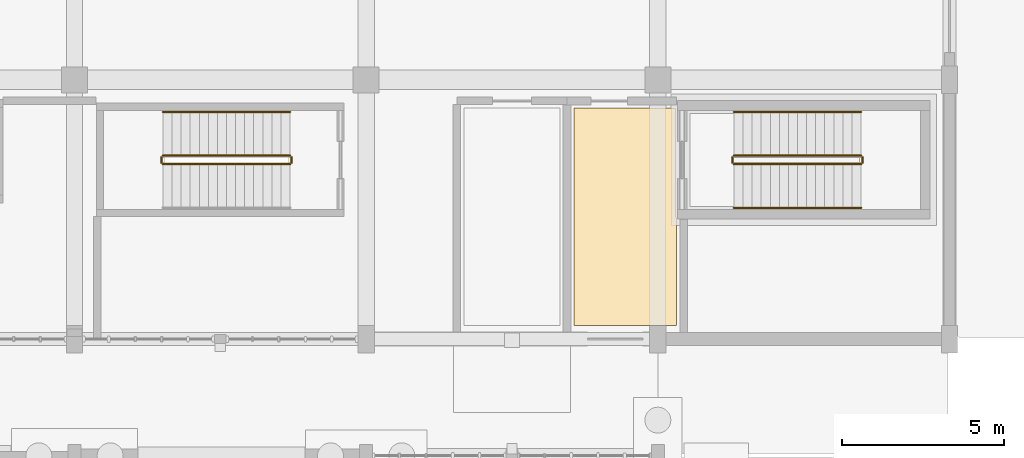
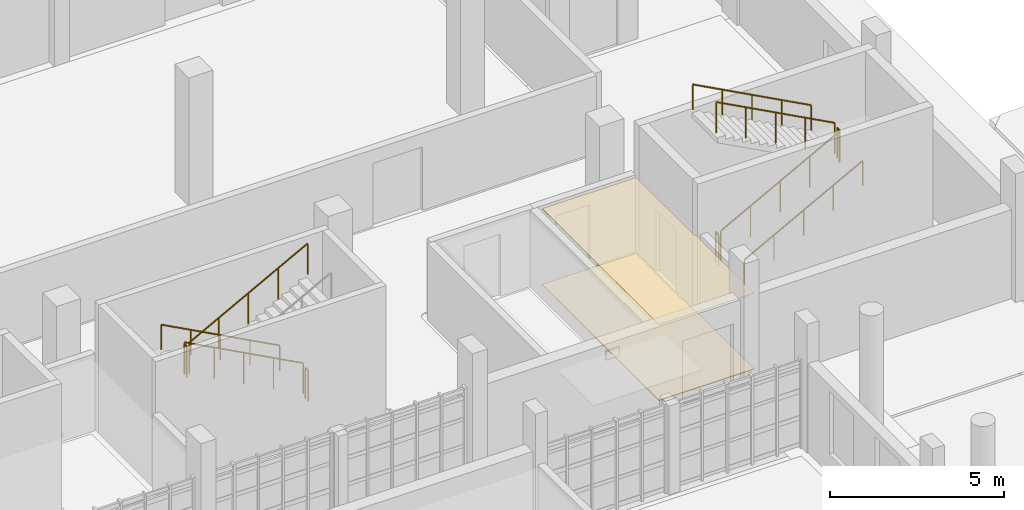
# One storey, part 60 of 63: 11 railings, 2 coverings.
"""IFC4 building model written with IfcOpenShell, lengths in metres."""

from ifc_helpers import new_model, si_unit, direction, frame, origin, origin_2d, place, context, subcontext, project, spatial, polyline, circle, outline, extrude, material, layer, layer_set, type_object, element, save


model = new_model("IFC4")

# Units and contexts
model_context = context("Model", 3, precision=1e-05, world=origin(), true_north=direction((0.0, 1.0)))
body_context = subcontext(model_context, "Body", "Model", "MODEL_VIEW")
ifc_project = project(units=[si_unit("LENGTHUNIT", "METRE"), si_unit("AREAUNIT", "SQUARE_METRE"), si_unit("VOLUMEUNIT", "CUBIC_METRE"), si_unit("PLANEANGLEUNIT", "RADIAN"), si_unit("MASSUNIT", "GRAM", prefix="KILO")], contexts=[model_context])

# Site, building, storey
site_placement = place(None, origin())
site = spatial("IfcSite", under=ifc_project, at=site_placement, CompositionType="ELEMENT")
building_placement = place(site_placement, origin())
building = spatial("IfcBuilding", under=site, at=building_placement, Name="Serraforn Aerial Cableway Station", CompositionType="ELEMENT")
storey_placement = place(building_placement, origin())
storey = spatial("IfcBuildingStorey", under=building, at=storey_placement, Name="L00", CompositionType="ELEMENT", Elevation=0.0)

# Coverings
ifc_material_1 = material(Name="Fire-protective gypsum board ceiling")
ifc_layer_1 = layer(ifc_material_1, 0.02001953125)
ifc_layer_set_1 = layer_set([ifc_layer_1], Name="Fire-protective gypsum board ceiling")
covering_type_1 = type_object("IfcCoveringType", Name="COV-CLG-GYP", PredefinedType="CEILING", material=ifc_layer_set_1)
covering_1_placement = place(storey_placement, frame((0.0, 0.0, 2.659912109375)))
element("IfcCovering", 1, at=covering_1_placement, inside=storey, type_object=covering_type_1, Name="Suspended Ceiling L00-25", PredefinedType="CEILING", context=body_context, shape_type="SweptSolid", body=[
    extrude(outline(polyline([(82.139892578125, 25.1298828125), (82.139892578125, 21.860107421875), (82.14111328125, 21.83837890625), (82.144287109375, 21.817138671875), (82.1494140625, 21.796142578125), (82.15673828125, 21.77587890625), (82.166015625, 21.75634765625), (82.177001953125, 21.73779296875), (82.179931640625, 21.73388671875), (82.179931640625, 18.419921875), (79.02001953125, 18.419921875), (79.02001953125, 25.1298828125), (82.139892578125, 25.1298828125)])), origin(), (0.0, 0.0, 1.0), 0.02001953125),
])
ifc_material_2 = material(Name="Honed Montjuic limestone flooring", Category="masonry")
ifc_layer_2 = layer(ifc_material_2, 0.030029296875)
ifc_layer_set_2 = layer_set([ifc_layer_2], Name="Honed Montjuic limestone flooring")
covering_type_2 = type_object("IfcCoveringType", Name="COV-FLR-STN", PredefinedType="FLOORING", material=ifc_layer_set_2)
covering_2_placement = place(storey_placement, origin())
element("IfcCovering", 2, at=covering_2_placement, inside=storey, type_object=covering_type_2, Name="Flooring L00-25", PredefinedType="FLOORING", context=body_context, shape_type="SweptSolid", body=[
    extrude(outline(polyline([(82.139892578125, 25.1298828125), (82.139892578125, 21.860107421875), (82.14111328125, 21.83837890625), (82.144287109375, 21.817138671875), (82.1494140625, 21.796142578125), (82.15673828125, 21.77587890625), (82.166015625, 21.75634765625), (82.177001953125, 21.73779296875), (82.179931640625, 21.73388671875), (82.179931640625, 18.419921875), (79.02001953125, 18.419921875), (79.02001953125, 25.1298828125), (82.139892578125, 25.1298828125)])), origin(), (0.0, 0.0, 1.0), 0.030029296875),
])

# Railings
ifc_material_3 = material(Name="Patinated bronze stair guardrail")
ifc_layer_3 = layer(ifc_material_3, 0.050048828125)
ifc_layer_set_3 = layer_set([ifc_layer_3], Name="Patinated bronze stair guardrail")
railing_type_1 = type_object("IfcRailingType", Name="RL-STR-GRD", PredefinedType="GUARDRAIL", material=ifc_layer_set_3)
railing_1_placement = place(storey_placement, frame((70.25, 23.659912109375, 0.14990234375)))
element("IfcRailing", 3, at=railing_1_placement, inside=storey, type_object=railing_type_1, Name="L00 ST-05 stair guard 1", PredefinedType="GUARDRAIL", context=body_context, shape_type="SweptSolid", body=[
    extrude(circle(Radius=0.02392578125, at=origin_2d()), frame((0.0, 0.0, 1.076171875), z_axis=(-0.881466911329, 0.0, 0.472245787945), x_axis=(0.0, -1.0, 0.0)), (0.0, 0.0, 1.0), 4.447021484375),
    extrude(circle(Radius=0.02099609375, at=origin_2d()), origin(), (0.0, 0.0, 1.0), 1.052001953125),
    extrude(circle(Radius=0.02099609375, at=origin_2d()), frame((-0.97998046875, 0.0, 0.52490234375)), (0.0, 0.0, 1.0), 1.052001953125),
    extrude(circle(Radius=0.02099609375, at=origin_2d()), frame((-1.9599609375, 0.0, 1.050048828125)), (0.0, 0.0, 1.0), 1.052001953125),
    extrude(circle(Radius=0.02099609375, at=origin_2d()), frame((-2.93994140625, 0.0, 1.5751953125)), (0.0, 0.0, 1.0), 1.052001953125),
    extrude(circle(Radius=0.02099609375, at=origin_2d()), frame((-3.919921875, 0.0, 2.10009765625)), (0.0, 0.0, 1.0), 1.052001953125),
])
railing_2_placement = place(storey_placement, frame((66.280029296875, 23.610107421875, 2.25)))
element("IfcRailing", 4, at=railing_2_placement, inside=storey, type_object=railing_type_1, Name="L00 ST-05 stair guard 2", PredefinedType="GUARDRAIL", context=body_context, shape_type="SweptSolid", body=[
    extrude(circle(Radius=0.02392578125, at=origin_2d()), frame((0.0, 0.0, 1.076171875), z_axis=(0.0, -1.0, 0.0), x_axis=(1.0, 0.0, 0.0)), (0.0, 0.0, 1.0), 0.16015625),
    extrude(circle(Radius=0.02099609375, at=origin_2d()), origin(), (0.0, 0.0, 1.0), 1.052001953125),
    extrude(circle(Radius=0.02099609375, at=origin_2d()), frame((0.0, -0.16015625, 0.0)), (0.0, 0.0, 1.0), 1.052001953125),
])
railing_3_placement = place(storey_placement, frame((66.330078125, 23.39990234375, 2.39990234375)))
element("IfcRailing", 5, at=railing_3_placement, inside=storey, type_object=railing_type_1, Name="L00 ST-05 stair guard 3", PredefinedType="GUARDRAIL", context=body_context, shape_type="SweptSolid", body=[
    extrude(circle(Radius=0.02392578125, at=origin_2d()), frame((0.0, 0.0, 1.076171875), z_axis=(0.881466911329, 0.0, 0.472245787945), x_axis=(0.0, 1.0, 0.0)), (0.0, 0.0, 1.0), 4.447021484375),
    extrude(circle(Radius=0.02099609375, at=origin_2d()), origin(), (0.0, 0.0, 1.0), 1.052001953125),
    extrude(circle(Radius=0.02099609375, at=origin_2d()), frame((0.97998046875, 0.0, 0.52490234375)), (0.0, 0.0, 1.0), 1.052001953125),
    extrude(circle(Radius=0.02099609375, at=origin_2d()), frame((1.9599609375, 0.0, 1.050048828125)), (0.0, 0.0, 1.0), 1.052001953125),
    extrude(circle(Radius=0.02099609375, at=origin_2d()), frame((2.93994140625, 0.0, 1.5751953125)), (0.0, 0.0, 1.0), 1.052001953125),
    extrude(circle(Radius=0.02099609375, at=origin_2d()), frame((3.919921875, 0.0, 2.10009765625)), (0.0, 0.0, 1.0), 1.052001953125),
])
railing_4_placement = place(storey_placement, frame((70.300048828125, 23.610107421875, 0.0)))
element("IfcRailing", 6, at=railing_4_placement, inside=storey, type_object=railing_type_1, Name="L00 ST-05 stair guard 4", PredefinedType="GUARDRAIL", context=body_context, shape_type="SweptSolid", body=[
    extrude(circle(Radius=0.02392578125, at=origin_2d()), frame((0.0, 0.0, 1.076171875), z_axis=(0.0, -1.0, 0.0), x_axis=(1.0, 0.0, 0.0)), (0.0, 0.0, 1.0), 0.16015625),
    extrude(circle(Radius=0.02099609375, at=origin_2d()), origin(), (0.0, 0.0, 1.0), 1.052001953125),
    extrude(circle(Radius=0.02099609375, at=origin_2d()), frame((0.0, -0.16015625, 0.0)), (0.0, 0.0, 1.0), 1.052001953125),
])
railing_5_placement = place(storey_placement, frame((83.949951171875, 23.39990234375, 0.14990234375)))
element("IfcRailing", 7, at=railing_5_placement, inside=storey, type_object=railing_type_1, Name="L00 ST-13 stair guard 1", PredefinedType="GUARDRAIL", context=body_context, shape_type="SweptSolid", body=[
    extrude(circle(Radius=0.02392578125, at=origin_2d()), frame((0.0, 0.0, 1.076171875), z_axis=(0.881479153919, 0.0, 0.472222935917), x_axis=(0.0, 1.0, 0.0)), (0.0, 0.0, 1.0), 4.447265625),
    extrude(circle(Radius=0.02099609375, at=origin_2d()), origin(), (0.0, 0.0, 1.0), 1.052001953125),
    extrude(circle(Radius=0.02099609375, at=origin_2d()), frame((0.97998046875, 0.0, 0.52490234375)), (0.0, 0.0, 1.0), 1.052001953125),
    extrude(circle(Radius=0.02099609375, at=origin_2d()), frame((1.9599609375, 0.0, 1.050048828125)), (0.0, 0.0, 1.0), 1.052001953125),
    extrude(circle(Radius=0.02099609375, at=origin_2d()), frame((2.940185546875, 0.0, 1.5751953125)), (0.0, 0.0, 1.0), 1.052001953125),
    extrude(circle(Radius=0.02099609375, at=origin_2d()), frame((3.920166015625, 0.0, 2.10009765625)), (0.0, 0.0, 1.0), 1.052001953125),
])
railing_6_placement = place(storey_placement, frame((87.919921875, 23.449951171875, 2.25)))
element("IfcRailing", 8, at=railing_6_placement, inside=storey, type_object=railing_type_1, Name="L00 ST-13 stair guard 2", PredefinedType="GUARDRAIL", context=body_context, shape_type="SweptSolid", body=[
    extrude(circle(Radius=0.02392578125, at=origin_2d()), frame((0.0, 0.0, 1.076171875), z_axis=(0.0, 1.0, 0.0), x_axis=(-1.0, 0.0, 0.0)), (0.0, 0.0, 1.0), 0.16015625),
    extrude(circle(Radius=0.02099609375, at=origin_2d()), origin(), (0.0, 0.0, 1.0), 1.052001953125),
    extrude(circle(Radius=0.02099609375, at=origin_2d()), frame((0.0, 0.16015625, 0.0)), (0.0, 0.0, 1.0), 1.052001953125),
])
railing_7_placement = place(storey_placement, frame((87.8701171875, 23.659912109375, 2.39990234375)))
element("IfcRailing", 9, at=railing_7_placement, inside=storey, type_object=railing_type_1, Name="L00 ST-13 stair guard 3", PredefinedType="GUARDRAIL", context=body_context, shape_type="SweptSolid", body=[
    extrude(circle(Radius=0.02392578125, at=origin_2d()), frame((0.0, 0.0, 1.076171875), z_axis=(-0.881479153919, 0.0, 0.472222935917), x_axis=(0.0, -1.0, 0.0)), (0.0, 0.0, 1.0), 4.447265625),
    extrude(circle(Radius=0.02099609375, at=origin_2d()), origin(), (0.0, 0.0, 1.0), 1.052001953125),
    extrude(circle(Radius=0.02099609375, at=origin_2d()), frame((-0.97998046875, 0.0, 0.52490234375)), (0.0, 0.0, 1.0), 1.052001953125),
    extrude(circle(Radius=0.02099609375, at=origin_2d()), frame((-1.9599609375, 0.0, 1.050048828125)), (0.0, 0.0, 1.0), 1.052001953125),
    extrude(circle(Radius=0.02099609375, at=origin_2d()), frame((-2.940185546875, 0.0, 1.5751953125)), (0.0, 0.0, 1.0), 1.052001953125),
    extrude(circle(Radius=0.02099609375, at=origin_2d()), frame((-3.920166015625, 0.0, 2.10009765625)), (0.0, 0.0, 1.0), 1.052001953125),
])
railing_8_placement = place(storey_placement, frame((83.89990234375, 23.449951171875, 0.0)))
element("IfcRailing", 10, at=railing_8_placement, inside=storey, type_object=railing_type_1, Name="L00 ST-13 stair guard 4", PredefinedType="GUARDRAIL", context=body_context, shape_type="SweptSolid", body=[
    extrude(circle(Radius=0.02392578125, at=origin_2d()), frame((0.0, 0.0, 1.076171875), z_axis=(0.0, 1.0, 0.0), x_axis=(-1.0, 0.0, 0.0)), (0.0, 0.0, 1.0), 0.16015625),
    extrude(circle(Radius=0.02099609375, at=origin_2d()), origin(), (0.0, 0.0, 1.0), 1.052001953125),
    extrude(circle(Radius=0.02099609375, at=origin_2d()), frame((0.0, 0.16015625, 0.0)), (0.0, 0.0, 1.0), 1.052001953125),
])
ifc_material_4 = material(Name="Brushed bronze tubular handrail")
ifc_layer_4 = layer(ifc_material_4, 0.048095703125)
ifc_layer_set_4 = layer_set([ifc_layer_4], Name="Brushed bronze tubular handrail")
railing_type_2 = type_object("IfcRailingType", Name="RL-STR-HDR", PredefinedType="HANDRAIL", material=ifc_layer_set_4)
railing_9_placement = place(storey_placement, frame((70.25, 25.010009765625, 0.14990234375)))
element("IfcRailing", 11, at=railing_9_placement, inside=storey, type_object=railing_type_2, Name="L00 ST-05 stair handrail 1", PredefinedType="HANDRAIL", context=body_context, shape_type="SweptSolid", body=[
    extrude(circle(Radius=0.02392578125, at=origin_2d()), frame((0.0, 0.0, 0.8759765625), z_axis=(-0.881466911329, 0.0, 0.472245787945), x_axis=(0.0, -1.0, 0.0)), (0.0, 0.0, 1.0), 4.447021484375),
    extrude(circle(Radius=0.02099609375, at=origin_2d()), origin(), (0.0, 0.0, 1.0), 0.851806640625),
    extrude(circle(Radius=0.02099609375, at=origin_2d()), frame((-0.97998046875, 0.0, 0.52490234375)), (0.0, 0.0, 1.0), 0.851806640625),
    extrude(circle(Radius=0.02099609375, at=origin_2d()), frame((-1.9599609375, 0.0, 1.050048828125)), (0.0, 0.0, 1.0), 0.851806640625),
    extrude(circle(Radius=0.02099609375, at=origin_2d()), frame((-2.93994140625, 0.0, 1.5751953125)), (0.0, 0.0, 1.0), 0.851806640625),
    extrude(circle(Radius=0.02099609375, at=origin_2d()), frame((-3.919921875, 0.0, 2.10009765625)), (0.0, 0.0, 1.0), 0.851806640625),
])
railing_10_placement = place(storey_placement, frame((83.949951171875, 22.050048828125, 0.14990234375)))
element("IfcRailing", 12, at=railing_10_placement, inside=storey, type_object=railing_type_2, Name="L00 ST-13 stair handrail 1", PredefinedType="HANDRAIL", context=body_context, shape_type="SweptSolid", body=[
    extrude(circle(Radius=0.02392578125, at=origin_2d()), frame((0.0, 0.0, 0.8759765625), z_axis=(0.881479153919, 0.0, 0.472222935917), x_axis=(0.0, 1.0, 0.0)), (0.0, 0.0, 1.0), 4.447265625),
    extrude(circle(Radius=0.02099609375, at=origin_2d()), origin(), (0.0, 0.0, 1.0), 0.851806640625),
    extrude(circle(Radius=0.02099609375, at=origin_2d()), frame((0.97998046875, 0.0, 0.52490234375)), (0.0, 0.0, 1.0), 0.851806640625),
    extrude(circle(Radius=0.02099609375, at=origin_2d()), frame((1.9599609375, 0.0, 1.050048828125)), (0.0, 0.0, 1.0), 0.851806640625),
    extrude(circle(Radius=0.02099609375, at=origin_2d()), frame((2.940185546875, 0.0, 1.5751953125)), (0.0, 0.0, 1.0), 0.851806640625),
    extrude(circle(Radius=0.02099609375, at=origin_2d()), frame((3.920166015625, 0.0, 2.10009765625)), (0.0, 0.0, 1.0), 0.851806640625),
])
railing_11_placement = place(storey_placement, frame((87.8701171875, 25.010009765625, 2.39990234375)))
element("IfcRailing", 13, at=railing_11_placement, inside=storey, type_object=railing_type_2, Name="L00 ST-13 stair handrail 2", PredefinedType="HANDRAIL", context=body_context, shape_type="SweptSolid", body=[
    extrude(circle(Radius=0.02392578125, at=origin_2d()), frame((0.0, 0.0, 0.8759765625), z_axis=(-0.881479153919, 0.0, 0.472222935917), x_axis=(0.0, -1.0, 0.0)), (0.0, 0.0, 1.0), 4.447265625),
    extrude(circle(Radius=0.02099609375, at=origin_2d()), origin(), (0.0, 0.0, 1.0), 0.851806640625),
    extrude(circle(Radius=0.02099609375, at=origin_2d()), frame((-0.97998046875, 0.0, 0.52490234375)), (0.0, 0.0, 1.0), 0.851806640625),
    extrude(circle(Radius=0.02099609375, at=origin_2d()), frame((-1.9599609375, 0.0, 1.050048828125)), (0.0, 0.0, 1.0), 0.851806640625),
    extrude(circle(Radius=0.02099609375, at=origin_2d()), frame((-2.940185546875, 0.0, 1.5751953125)), (0.0, 0.0, 1.0), 0.851806640625),
    extrude(circle(Radius=0.02099609375, at=origin_2d()), frame((-3.920166015625, 0.0, 2.10009765625)), (0.0, 0.0, 1.0), 0.851806640625),
])

save(model, "model.ifc")
